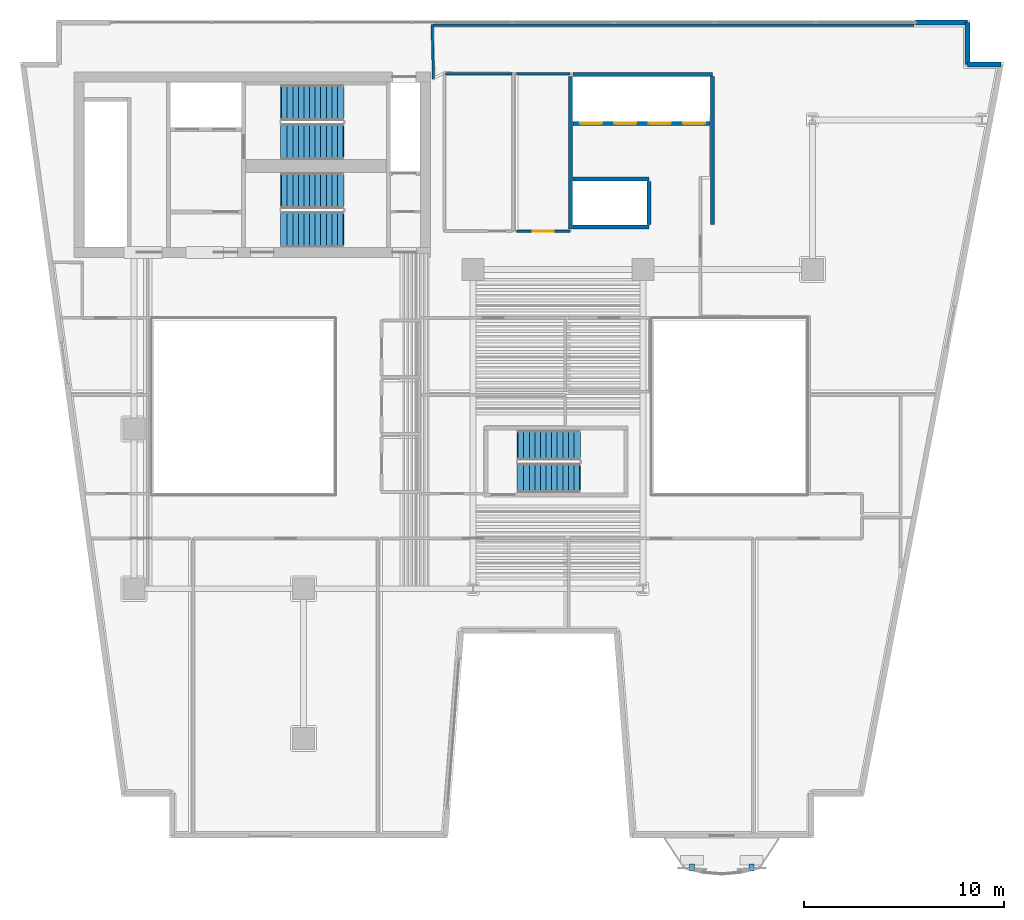
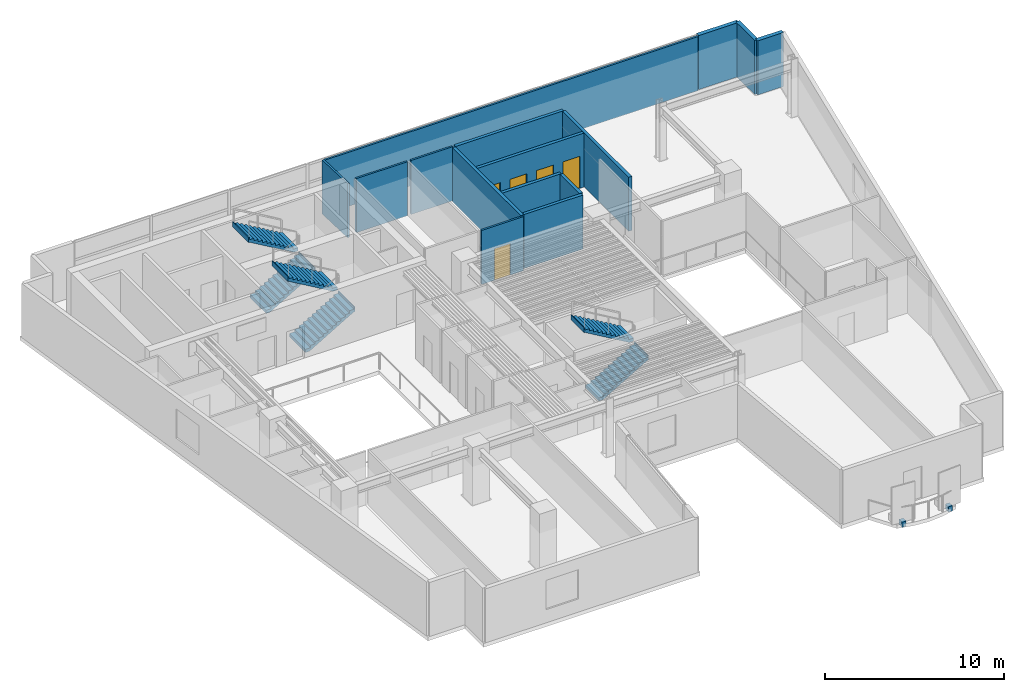
# One storey, part 8 of 13: 15 walls, 6 stair flights, 5 doors, 2 discrete accessories, 5 openings, 3 elements without a shape of their own.
"""IFC4 building model written with IfcOpenShell, lengths in metres."""

import ifcopenshell
import ifcopenshell.guid

model = None  # the IFC model being written
_history = None  # IfcOwnerHistory: only IFC2X3 demands one
_inside = {}  # id of a spatial element -> (the spatial element, [elements in it])
_under = {}  # id of a project, library or spatial element -> (it, [spatial elements below it])
_declared = {}  # id of a project -> (the project, [libraries it declares])
_typed = {}  # id of a type object -> (the type object, [elements of that type])
_made_of = {}  # id of a material, layer set ... -> (it, [elements and type objects made of it])


def new_model(schema):
    """Start an empty IFC model of exactly this schema.

    Asked for "IFC4X3", IfcOpenShell would pick the latest addendum, in which some entities
    have other attributes; the version numbers below select the first issue.
    IFC2X3 requires an IfcOwnerHistory on every rooted entity: one is made here for all.
    """
    global model, _history
    if schema == "IFC4X3":
        model = ifcopenshell.file(schema_version=(4, 3, 0, 0))
    else:
        model = ifcopenshell.file(schema=schema)
    _inside.clear()
    _under.clear()
    _declared.clear()
    _typed.clear()
    _made_of.clear()
    _history = None
    if model.schema == "IFC2X3":
        org = make("IfcOrganization", Name="unknown")
        user = make(
            "IfcPersonAndOrganization",
            ThePerson=make("IfcPerson", FamilyName="unknown"),
            TheOrganization=org,
        )
        app = make(
            "IfcApplication",
            ApplicationDeveloper=org,
            Version="unknown",
            ApplicationFullName="unknown",
            ApplicationIdentifier="unknown",
        )
        _history = make(
            "IfcOwnerHistory",
            OwningUser=user,
            OwningApplication=app,
            ChangeAction="ADDED",
            CreationDate=0,
        )
    return model


def make(cls, **values):
    """One entity of the class cls with the attributes given. An attribute that is None is left unset."""
    return model.create_entity(
        cls, **{name: value for name, value in values.items() if value is not None}
    )


def rooted(cls, **values):
    """An entity with a GlobalId (a new one), such as an element, a storey or a relation."""
    return make(cls, GlobalId=ifcopenshell.guid.new(), OwnerHistory=_history, **values)


def si_unit(unit_type, name, prefix=None):
    """IfcSIUnit, for example si_unit("LENGTHUNIT", "METRE", prefix="MILLI")."""
    return make("IfcSIUnit", UnitType=unit_type, Prefix=prefix, Name=name)


def assignment(units):
    """IfcUnitAssignment: the units of a project."""
    return None if units is None else make("IfcUnitAssignment", Units=units)


def point(xyz):
    """IfcCartesianPoint."""
    return None if xyz is None else make("IfcCartesianPoint", Coordinates=xyz)


def direction(xyz):
    """IfcDirection."""
    return None if xyz is None else make("IfcDirection", DirectionRatios=xyz)


def frame(location, z_axis=None, x_axis=None):
    """IfcAxis2Placement3D, a coordinate frame: its origin and axes. An axis left out is left unset."""
    return make(
        "IfcAxis2Placement3D",
        Location=point(location),
        Axis=direction(z_axis),
        RefDirection=direction(x_axis),
    )


def frame_2d(location, x_axis=None):
    """IfcAxis2Placement2D, a coordinate frame in the plane: its origin and x axis."""
    return make(
        "IfcAxis2Placement2D", Location=point(location), RefDirection=direction(x_axis)
    )


def origin():
    """The frame at (0, 0, 0) with its axes left unset."""
    return frame((0.0, 0.0, 0.0))


def origin_2d():
    """The frame at (0, 0) in the plane with its x axis left unset."""
    return frame_2d((0.0, 0.0))


def place(relative_to, where):
    """IfcLocalPlacement: puts the frame where relative to a parent placement (None: the world)."""
    return make(
        "IfcLocalPlacement", PlacementRelTo=relative_to, RelativePlacement=where
    )


def context(
    kind, dimensions, precision=None, world=None, true_north=None, identifier=None
):
    """IfcGeometricRepresentationContext, for example the 3D "Model" context."""
    return make(
        "IfcGeometricRepresentationContext",
        ContextIdentifier=identifier,
        ContextType=kind,
        CoordinateSpaceDimension=dimensions,
        Precision=precision,
        WorldCoordinateSystem=world,
        TrueNorth=true_north,
    )


def subcontext(parent, identifier, kind, view, scale=None):
    """IfcGeometricRepresentationSubContext, for example "Body" below "Model"."""
    return make(
        "IfcGeometricRepresentationSubContext",
        ContextIdentifier=identifier,
        ContextType=kind,
        ParentContext=parent,
        TargetScale=scale,
        TargetView=view,
    )


def project(units=None, contexts=None):
    """IfcProject with its units and contexts."""
    return rooted(
        "IfcProject",
        Name="project",
        RepresentationContexts=contexts,
        UnitsInContext=assignment(units),
    )


def spatial(cls, under=None, at=None, **own):
    """A site, building, storey or space (cls), placed at a placement, below another one or the project."""
    s = rooted(cls, ObjectPlacement=at, **own)
    if under is not None:
        _under.setdefault(under.id(), (under, []))[1].append(s)
    return s


def polyline(points):
    """IfcPolyline through the points."""
    return make("IfcPolyline", Points=[point(p) for p in points])


def profile(cls, at=None, kind="AREA", **sizes):
    """A parametric profile (cls). Its sizes go by their IFC names, for example OverallWidth=200.0."""
    return make(cls, ProfileType=kind, Position=at, **sizes)


def rectangle(**sizes):
    """IfcRectangleProfileDef."""
    return profile("IfcRectangleProfileDef", **sizes)


def outline(outer, holes=None, kind="AREA"):
    """IfcArbitraryClosedProfileDef: a profile drawn as a closed curve; with holes, ...WithVoids."""
    if holes is None:
        return make("IfcArbitraryClosedProfileDef", ProfileType=kind, OuterCurve=outer)
    return make(
        "IfcArbitraryProfileDefWithVoids",
        ProfileType=kind,
        OuterCurve=outer,
        InnerCurves=holes,
    )


def extrude(swept, where, along, depth):
    """IfcExtrudedAreaSolid: the profile swept, set in the frame where, extruded along a direction by depth."""
    return make(
        "IfcExtrudedAreaSolid",
        SweptArea=swept,
        Position=where,
        ExtrudedDirection=direction(along),
        Depth=depth,
    )


def shape(context_of_items, identifier, shape_type, items):
    """IfcShapeRepresentation: the items that make up one representation, for example the "Body"."""
    return make(
        "IfcShapeRepresentation",
        ContextOfItems=context_of_items,
        RepresentationIdentifier=identifier,
        RepresentationType=shape_type,
        Items=items,
    )


def material(Name=None, Category=None):
    """IfcMaterial."""
    return make("IfcMaterial", Name=Name, Category=Category)


def layer(
    of_material, thickness, ventilated=None, Name=None, Category=None, Priority=None
):
    """IfcMaterialLayer: one layer of a wall or slab, of a material (None: an air gap)."""
    return make(
        "IfcMaterialLayer",
        Material=of_material,
        LayerThickness=thickness,
        IsVentilated=ventilated,
        Name=Name,
        Category=Category,
        Priority=Priority,
    )


def layer_set(layers, Name=None):
    """IfcMaterialLayerSet."""
    return make("IfcMaterialLayerSet", MaterialLayers=layers, LayerSetName=Name)


def made_of(thing, what):
    """Note that an element or type object is made of a material, layer set ...; save() writes the relation."""
    if what is not None:
        _made_of.setdefault(what.id(), (what, []))[1].append(thing)
    return thing


def type_object(cls, material=None, **own):
    """A type object (cls), such as IfcWallType, which elements share."""
    return made_of(rooted(cls, **own), material)


def element(
    cls,
    number,
    at=None,
    inside=None,
    cuts=None,
    type_object=None,
    material=None,
    context=None,
    identifier="Body",
    shape_type=None,
    held_by="IfcProductDefinitionShape",
    body=None,
    shapes=None,
    **own,
):
    """One element of the class cls, such as IfcWall. Its Tag is "e" and its number.

    at: its placement. inside: the storey or other place that contains it. cuts: it is an
    opening in that element (IfcRelVoidsElement). A single representation is given by context,
    identifier, shape_type and body (its items); several are given by shapes. held_by: the class
    of the entity that holds the representations. save() writes the other relations.
    """
    e = rooted(cls, Tag="e%d" % number, ObjectPlacement=at, **own)
    if body is not None:
        shapes = [shape(context, identifier, shape_type, body)]
    if shapes is not None:
        e.Representation = make(held_by, Representations=shapes)
    if inside is not None:
        _inside.setdefault(inside.id(), (inside, []))[1].append(e)
    if cuts is not None:
        rooted(
            "IfcRelVoidsElement", RelatingBuildingElement=cuts, RelatedOpeningElement=e
        )
    if type_object is not None:
        _typed.setdefault(type_object.id(), (type_object, []))[1].append(e)
    return made_of(e, material)


def fill(opening, filler):
    """IfcRelFillsElement: the door or window that sits in an opening."""
    return rooted(
        "IfcRelFillsElement",
        RelatingOpeningElement=opening,
        RelatedBuildingElement=filler,
    )


def aggregate(whole, parts):
    """IfcRelAggregates: a whole, such as a stair, and the parts it consists of."""
    return rooted("IfcRelAggregates", RelatingObject=whole, RelatedObjects=parts)


def save(model, path):
    """Write the relations noted so far, then the file.

    IfcRelAggregates (storeys below a building ...), IfcRelContainedInSpatialStructure (elements
    in a storey), IfcRelDefinesByType, IfcRelAssociatesMaterial and IfcRelDeclares: one each for
    every whole, place, type object, material and project.
    """
    for whole, parts in _under.values():
        aggregate(whole, parts)
    for where, things in _inside.values():
        rooted(
            "IfcRelContainedInSpatialStructure",
            RelatedElements=things,
            RelatingStructure=where,
        )
    for kind, things in _typed.values():
        rooted("IfcRelDefinesByType", RelatedObjects=things, RelatingType=kind)
    for what, things in _made_of.values():
        rooted("IfcRelAssociatesMaterial", RelatedObjects=things, RelatingMaterial=what)
    for by, libraries in _declared.values():
        rooted("IfcRelDeclares", RelatingContext=by, RelatedDefinitions=libraries)
    model.write(path)


model = new_model("IFC4")

# Units and contexts
model_context = context("Model", 3, precision=1e-05, world=origin(), true_north=direction((0.0, 1.0)))
body_context = subcontext(model_context, "Body", "Model", "MODEL_VIEW")
ifc_project = project(units=[si_unit("LENGTHUNIT", "METRE"), si_unit("AREAUNIT", "SQUARE_METRE"), si_unit("VOLUMEUNIT", "CUBIC_METRE"), si_unit("PLANEANGLEUNIT", "RADIAN"), si_unit("MASSUNIT", "GRAM", prefix="KILO")], contexts=[model_context])

# Site, building, storey
site_placement = place(None, origin())
site = spatial("IfcSite", under=ifc_project, at=site_placement, CompositionType="ELEMENT")
building_placement = place(site_placement, origin())
building = spatial("IfcBuilding", under=site, at=building_placement, Name="Caeloran Harvest Quay", CompositionType="ELEMENT")
storey_placement = place(building_placement, frame((0.0, 0.0, 162.75)))
storey = spatial("IfcBuildingStorey", under=building, at=storey_placement, Name="L38", CompositionType="ELEMENT", Elevation=162.75)

# Walls
ifc_material_1 = material(Name="Precast concrete C50/60", Category="concrete")
ifc_layer_1 = layer(ifc_material_1, 0.260009765625, Name="Precast concrete C50/60")
ifc_layer_set_1 = layer_set([ifc_layer_1], Name="Precast concrete C50/60")
wall_type_1 = type_object("IfcWallType", Name="ENV-WALL-EW-260", PredefinedType="STANDARD", material=ifc_layer_set_1)
wall_1_placement = place(storey_placement, frame((47.669921875, 43.3701171875, 0.0), z_axis=(0.0, 0.0, 1.0), x_axis=(1.0, 0.0, 0.0)))
element("IfcWall", 1, at=wall_1_placement, inside=storey, type_object=wall_type_1, Name="L38 Exterior Facade Corner Pier Wall 6B", PredefinedType="STANDARD", context=body_context, shape_type="SweptSolid", body=[
    extrude(rectangle(XDim=2.60009765625, YDim=0.260009765625, at=frame_2d((1.300048828125, 0.0))), origin(), (0.0, 0.0, 1.0), 3.68994140625),
])
wall_2_placement = place(storey_placement, frame((50.27001953125, 43.3701171875, 0.0), z_axis=(0.0, 0.0, 1.0), x_axis=(0.0, -1.0, 0.0)))
element("IfcWall", 2, at=wall_2_placement, inside=storey, type_object=wall_type_1, Name="L38 Exterior Precast Concrete Facade Wall 7", PredefinedType="STANDARD", context=body_context, shape_type="SweptSolid", body=[
    extrude(rectangle(XDim=2.10009765625, YDim=0.260009765625, at=frame_2d((1.050048828125, 0.0))), origin(), (0.0, 0.0, 1.0), 3.68994140625),
])
wall_3_placement = place(storey_placement, frame((50.27001953125, 41.27001953125, 0.0), z_axis=(0.0, 0.0, 1.0), x_axis=(1.0, 0.0, 0.0)))
element("IfcWall", 3, at=wall_3_placement, inside=storey, type_object=wall_type_1, Name="L38 Exterior Precast Concrete Facade Wall 8", PredefinedType="STANDARD", context=body_context, shape_type="SweptSolid", body=[
    extrude(rectangle(XDim=1.671875, YDim=0.260009765625, at=frame_2d((0.8359375, 0.0))), origin(), (0.0, 0.0, 1.0), 3.68994140625),
])
ifc_material_2 = material(Name="Twin-Stud Mineral-Wool Acoustic Gypsum Partition", Category="gypsum")
ifc_layer_2 = layer(ifc_material_2, 0.125, Name="Twin-Stud Mineral-Wool Acoustic Gypsum Partition")
ifc_layer_set_2 = layer_set([ifc_layer_2], Name="Twin-Stud Mineral-Wool Acoustic Gypsum Partition")
wall_type_2 = type_object("IfcWallType", Name="INT-WALL-PW-125", PredefinedType="PARTITIONING", material=ifc_layer_set_2)
wall_4_placement = place(storey_placement, frame((24.117431640625, 40.800048828125, 0.0), z_axis=(0.0, 0.0, 1.0), x_axis=(1.0, 0.0, 0.0)))
element("IfcWall", 4, at=wall_4_placement, inside=storey, type_object=wall_type_2, Name="L38 Bioinformatics Briefing Lounge Partition Wall", PredefinedType="PARTITIONING", context=body_context, shape_type="SweptSolid", body=[
    extrude(rectangle(XDim=3.315185546875, YDim=0.125, at=frame_2d((1.65771484375, 0.0))), origin(), (0.0, 0.0, 1.0), 3.68994140625),
])

# Wall, opening, door
wall_5_placement = place(storey_placement, frame((30.35009765625, 32.919921875, 0.0), z_axis=(0.0, 0.0, 1.0), x_axis=(-1.0, 0.0, 0.0)))
wall_5 = element("IfcWall", 5, at=wall_5_placement, inside=storey, type_object=wall_type_2, Name="L38 Seed Imaging Laboratory Partition Wall", PredefinedType="PARTITIONING", context=body_context, shape_type="SweptSolid", body=[
    extrude(rectangle(XDim=2.690185546875, YDim=0.125, at=frame_2d((1.34521484375, 0.0))), origin(), (0.0, 0.0, 1.0), 3.68994140625),
])
opening_1_placement = place(wall_5_placement, frame((0.820068359375, 0.0, 0.0)))
opening_1 = element("IfcOpeningElement", 6, at=opening_1_placement, cuts=wall_5, Name="Opening ID-03", PredefinedType="OPENING", context=body_context, shape_type="SweptSolid", body=[
    extrude(rectangle(XDim=1.050048828125, YDim=2.14990234375, at=frame_2d((0.52490234375, 1.074951171875))), frame((0.0, 0.072509765625, 0.0), z_axis=(0.0, -1.0, 0.0), x_axis=(1.0, 0.0, 0.0)), (0.0, 0.0, 1.0), 0.14501953125),
])
ifc_material_3 = material(Name="FSC Solid-Core Oak Timber Leaf", Category="wood")
door_type_1 = type_object("IfcDoorType", Name="INTDOOR-ID-03", OperationType="NOTDEFINED", PredefinedType="DOOR", material=ifc_material_3)
door_1_placement = place(opening_1_placement, origin())
door_1 = element("IfcDoor", 7, at=door_1_placement, inside=storey, type_object=door_type_1, Name="L38 Seed Imaging Laboratory Access Door", OperationType="SINGLE_SWING_LEFT", OverallHeight=2.14990234375, OverallWidth=1.050048828125, PredefinedType="DOOR", context=body_context, shape_type="SweptSolid", body=[
    extrude(rectangle(XDim=1.050048828125, YDim=2.14990234375, at=frame_2d((0.52490234375, 1.074951171875))), frame((0.0, 0.02490234375, 0.0), z_axis=(0.0, -1.0, 0.0), x_axis=(1.0, 0.0, 0.0)), (0.0, 0.0, 1.0), 0.050048828125),
])
fill(opening_1, door_1)

# Walls
wall_6_placement = place(storey_placement, frame((27.659912109375, 40.800048828125, 0.0), z_axis=(0.0, 0.0, 1.0), x_axis=(1.0, 0.0, 0.0)))
element("IfcWall", 8, at=wall_6_placement, inside=storey, type_object=wall_type_2, Name="L38 Seed Imaging Laboratory Partition Wall", PredefinedType="PARTITIONING", context=body_context, shape_type="SweptSolid", body=[
    extrude(rectangle(XDim=2.690185546875, YDim=0.125, at=frame_2d((1.34521484375, 0.0))), origin(), (0.0, 0.0, 1.0), 3.68994140625),
])
wall_7_placement = place(storey_placement, frame((23.510009765625, 40.555908203125, 0.0), z_axis=(0.0, 0.0, 1.0), x_axis=(-0.02567646332, 0.999670305266, 0.0)))
element("IfcWall", 9, at=wall_7_placement, inside=storey, type_object=wall_type_2, Name="Hospitality Catering Kitchen 12 Partition Wall", PredefinedType="PARTITIONING", context=body_context, shape_type="SweptSolid", body=[
    extrude(rectangle(XDim=2.7099609375, YDim=0.125, at=frame_2d((1.35498046875, 0.0))), origin(), (0.0, 0.0, 1.0), 3.68994140625),
])
wall_8_placement = place(storey_placement, frame((23.508544921875, 43.239990234375, 0.0), z_axis=(0.0, 0.0, 1.0), x_axis=(1.0, 0.0, 0.0)))
element("IfcWall", 10, at=wall_8_placement, inside=storey, type_object=wall_type_2, Name="Hospitality Catering Kitchen 12 Partition Wall", PredefinedType="PARTITIONING", context=body_context, shape_type="SweptSolid", body=[
    extrude(rectangle(XDim=24.0869140625, YDim=0.125, at=frame_2d((12.04345703125, 0.0))), origin(), (0.0, 0.0, 1.0), 3.68994140625),
])
ifc_material_4 = material(Name="Concrete C50/60", Category="concrete")
ifc_layer_3 = layer(ifc_material_4, 0.199951171875, Name="Concrete C50/60")
ifc_layer_set_3 = layer_set([ifc_layer_3], Name="Concrete C50/60")
wall_type_3 = type_object("IfcWallType", Name="INT-WALL-SW-200", PredefinedType="PARTITIONING", material=ifc_layer_set_3)
wall_9_placement = place(storey_placement, frame((30.3798828125, 33.02001953125, 0.0), z_axis=(0.0, 0.0, 1.0), x_axis=(0.0, 1.0, 0.0)))
element("IfcWall", 11, at=wall_9_placement, inside=storey, type_object=wall_type_3, Name="L38 Bank 2 and Shuttle Lift Shaft West Wall", PredefinedType="PARTITIONING", context=body_context, shape_type="SweptSolid", body=[
    extrude(rectangle(XDim=7.639892578125, YDim=0.199951171875, at=frame_2d((3.81982421875, 0.0))), origin(), (0.0, 0.0, 1.0), 3.68994140625),
])
wall_10_placement = place(storey_placement, frame((30.5, 40.780029296875, 0.0), z_axis=(0.0, 0.0, 1.0), x_axis=(1.0, 0.0, 0.0)))
element("IfcWall", 12, at=wall_10_placement, inside=storey, type_object=wall_type_3, Name="L38 Bank 2 Lift Shaft North Wall", PredefinedType="PARTITIONING", context=body_context, shape_type="SweptSolid", body=[
    extrude(rectangle(XDim=6.97998046875, YDim=0.199951171875, at=frame_2d((3.489990234375, 0.0))), origin(), (0.0, 0.0, 1.0), 3.68994140625),
])
wall_11_placement = place(storey_placement, frame((37.47998046875, 33.239990234375, 0.0), z_axis=(0.0, 0.0, 1.0), x_axis=(0.0, 1.0, 0.0)))
element("IfcWall", 13, at=wall_11_placement, inside=storey, type_object=wall_type_3, Name="L38 Bank 2 Lift Shaft East Wall", PredefinedType="PARTITIONING", context=body_context, shape_type="SweptSolid", body=[
    extrude(rectangle(XDim=7.419921875, YDim=0.199951171875, at=frame_2d((3.7099609375, 0.0))), origin(), (0.0, 0.0, 1.0), 3.68994140625),
])

# Wall, openings, doors
wall_12_placement = place(storey_placement, frame((30.5, 38.320068359375, 0.0), z_axis=(0.0, 0.0, 1.0), x_axis=(1.0, 0.0, 0.0)))
wall_12 = element("IfcWall", 14, at=wall_12_placement, inside=storey, type_object=wall_type_3, Name="L38 Bank 2 Lift Landing Front Wall", PredefinedType="PARTITIONING", context=body_context, shape_type="SweptSolid", body=[
    extrude(rectangle(XDim=6.860107421875, YDim=0.199951171875, at=frame_2d((3.43017578125, 0.0))), origin(), (0.0, 0.0, 1.0), 3.68994140625),
])
opening_2_placement = place(wall_12_placement, frame((0.360107421875, 0.0, 0.0)))
opening_2 = element("IfcOpeningElement", 15, at=opening_2_placement, cuts=wall_12, Name="Opening LD-01", PredefinedType="OPENING", context=body_context, shape_type="SweptSolid", body=[
    extrude(rectangle(XDim=1.10009765625, YDim=2.199951171875, at=frame_2d((0.550048828125, 1.10009765625))), frame((0.0, 0.10986328125, 0.0), z_axis=(0.0, -1.0, 0.0), x_axis=(1.0, 0.0, 0.0)), (0.0, 0.0, 1.0), 0.219970703125),
])
opening_3_placement = place(wall_12_placement, frame((2.080078125, 0.0, 0.0)))
opening_3 = element("IfcOpeningElement", 16, at=opening_3_placement, cuts=wall_12, Name="Opening LD-01", PredefinedType="OPENING", context=body_context, shape_type="SweptSolid", body=[
    extrude(rectangle(XDim=1.10009765625, YDim=2.199951171875, at=frame_2d((0.550048828125, 1.10009765625))), frame((0.0, 0.10986328125, 0.0), z_axis=(0.0, -1.0, 0.0), x_axis=(1.0, 0.0, 0.0)), (0.0, 0.0, 1.0), 0.219970703125),
])
opening_4_placement = place(wall_12_placement, frame((3.800048828125, 0.0, 0.0)))
opening_4 = element("IfcOpeningElement", 17, at=opening_4_placement, cuts=wall_12, Name="Opening LD-01", PredefinedType="OPENING", context=body_context, shape_type="SweptSolid", body=[
    extrude(rectangle(XDim=1.10009765625, YDim=2.199951171875, at=frame_2d((0.550048828125, 1.10009765625))), frame((0.0, 0.10986328125, 0.0), z_axis=(0.0, -1.0, 0.0), x_axis=(1.0, 0.0, 0.0)), (0.0, 0.0, 1.0), 0.219970703125),
])
opening_5_placement = place(wall_12_placement, frame((5.52001953125, 0.0, 0.0)))
opening_5 = element("IfcOpeningElement", 18, at=opening_5_placement, cuts=wall_12, Name="Opening LD-01", PredefinedType="OPENING", context=body_context, shape_type="SweptSolid", body=[
    extrude(rectangle(XDim=1.10009765625, YDim=2.199951171875, at=frame_2d((0.550048828125, 1.10009765625))), frame((0.0, 0.10986328125, 0.0), z_axis=(0.0, -1.0, 0.0), x_axis=(1.0, 0.0, 0.0)), (0.0, 0.0, 1.0), 0.219970703125),
])
ifc_material_5 = material(Name="Stainless Steel Grade 316", Category="steel")
door_type_2 = type_object("IfcDoorType", Name="INTDOOR-LD-01", OperationType="NOTDEFINED", PredefinedType="DOOR", material=ifc_material_5)
door_2_placement = place(opening_2_placement, origin())
door_2 = element("IfcDoor", 19, at=door_2_placement, inside=storey, type_object=door_type_2, Name="Lift P2-1 Sliding Landing Door (L38)", OperationType="DOUBLE_DOOR_SLIDING", OverallHeight=2.199951171875, OverallWidth=1.10009765625, PredefinedType="DOOR", context=body_context, shape_type="SweptSolid", body=[
    extrude(rectangle(XDim=1.10009765625, YDim=2.199951171875, at=frame_2d((0.550048828125, 1.10009765625))), frame((0.0, 0.02490234375, 0.0), z_axis=(0.0, -1.0, 0.0), x_axis=(1.0, 0.0, 0.0)), (0.0, 0.0, 1.0), 0.050048828125),
])
fill(opening_2, door_2)
door_3_placement = place(opening_3_placement, origin())
door_3 = element("IfcDoor", 20, at=door_3_placement, inside=storey, type_object=door_type_2, Name="Lift P2-2 Sliding Landing Door (L38)", OperationType="DOUBLE_DOOR_SLIDING", OverallHeight=2.199951171875, OverallWidth=1.10009765625, PredefinedType="DOOR", context=body_context, shape_type="SweptSolid", body=[
    extrude(rectangle(XDim=1.10009765625, YDim=2.199951171875, at=frame_2d((0.550048828125, 1.10009765625))), frame((0.0, 0.02490234375, 0.0), z_axis=(0.0, -1.0, 0.0), x_axis=(1.0, 0.0, 0.0)), (0.0, 0.0, 1.0), 0.050048828125),
])
fill(opening_3, door_3)
door_4_placement = place(opening_4_placement, origin())
door_4 = element("IfcDoor", 21, at=door_4_placement, inside=storey, type_object=door_type_2, Name="Lift P2-3 Sliding Landing Door (L38)", OperationType="DOUBLE_DOOR_SLIDING", OverallHeight=2.199951171875, OverallWidth=1.10009765625, PredefinedType="DOOR", context=body_context, shape_type="SweptSolid", body=[
    extrude(rectangle(XDim=1.10009765625, YDim=2.199951171875, at=frame_2d((0.550048828125, 1.10009765625))), frame((0.0, 0.02490234375, 0.0), z_axis=(0.0, -1.0, 0.0), x_axis=(1.0, 0.0, 0.0)), (0.0, 0.0, 1.0), 0.050048828125),
])
fill(opening_4, door_4)
door_5_placement = place(opening_5_placement, origin())
door_5 = element("IfcDoor", 22, at=door_5_placement, inside=storey, type_object=door_type_2, Name="Lift P2-4 Sliding Landing Door (L38)", OperationType="DOUBLE_DOOR_SLIDING", OverallHeight=2.199951171875, OverallWidth=1.10009765625, PredefinedType="DOOR", context=body_context, shape_type="SweptSolid", body=[
    extrude(rectangle(XDim=1.10009765625, YDim=2.199951171875, at=frame_2d((0.550048828125, 1.10009765625))), frame((0.0, 0.02490234375, 0.0), z_axis=(0.0, -1.0, 0.0), x_axis=(1.0, 0.0, 0.0)), (0.0, 0.0, 1.0), 0.050048828125),
])
fill(opening_5, door_5)

# Walls
for number, where, z_axis, x_axis, name in (
    (23, (30.5, 35.530029296875, 0.0), (0.0, 0.0, 1.0), (1.0, 0.0, 0.0), "L38 Shuttle Lift Landing Front Wall"),
    (24, (30.5, 33.1201171875, 0.0), (0.0, 0.0, 1.0), (1.0, 0.0, 0.0), "L38 Shuttle Lift Shaft South Wall"),
):
    element("IfcWall", number, at=place(storey_placement, frame(where, z_axis=z_axis, x_axis=x_axis)), inside=storey, type_object=wall_type_3, Name=name, PredefinedType="PARTITIONING", context=body_context, shape_type="SweptSolid", body=[
        extrude(rectangle(XDim=3.800048828125, YDim=0.199951171875, at=frame_2d((1.89990234375, 0.0))), origin(), (0.0, 0.0, 1.0), 3.68994140625),
    ])
wall_13_placement = place(storey_placement, frame((34.300048828125, 33.239990234375, 0.0), z_axis=(0.0, 0.0, 1.0), x_axis=(0.0, 1.0, 0.0)))
element("IfcWall", 25, at=wall_13_placement, inside=storey, type_object=wall_type_3, Name="L38 Shuttle Lift Shaft East Wall", PredefinedType="PARTITIONING", context=body_context, shape_type="SweptSolid", body=[
    extrude(rectangle(XDim=2.169921875, YDim=0.199951171875, at=frame_2d((1.0849609375, 0.0))), origin(), (0.0, 0.0, 1.0), 3.68994140625),
])

# Stair, stair flights
stair_type_1 = type_object("IfcStairType", Name="STAIR-STC-180", PredefinedType="HALF_TURN_STAIR", material=ifc_material_4)
stair_1_placement = place(storey_placement, origin())
stair_1 = element("IfcStair", 26, at=stair_1_placement, inside=storey, type_object=stair_type_1, Name="L38 Core Pressurized Exit Stair ST-C1", PredefinedType="HALF_TURN_STAIR")
stair_flight_type_1 = type_object("IfcStairFlightType", Name="FLIGHT-STC-180", PredefinedType="STRAIGHT", material=ifc_material_4)
stair_flight_1_placement = place(storey_placement, frame((15.89990234375, 37.39990234375, 0.0), z_axis=(0.0, 0.0, 1.0), x_axis=(1.0, 0.0, 0.0)))
stair_flight_1 = element("IfcStairFlight", 27, at=stair_flight_1_placement, type_object=stair_flight_type_1, Name="ST-C1 flight 1", NumberOfRisers=12, NumberOfTreads=11, PredefinedType="STRAIGHT", RiserHeight=0.164583333, TreadLength=0.28, context=body_context, shape_type="SweptSolid", body=[
    extrude(outline(polyline([(-0.054931640625, -0.044921875), (-0.054931640625, -0.031982421875), (-0.054931640625, -0.018798828125), (-0.054931640625, -0.005615234375), (-0.054931640625, 0.00732421875), (-0.054931640625, 0.0205078125), (-0.054931640625, 0.03369140625), (-0.054931640625, 0.046630859375), (-0.054931640625, 0.059814453125), (-0.054931640625, 0.072998046875), (-0.054931640625, 0.0859375), (-0.054931640625, 0.09912109375), (-0.054931640625, 0.1123046875), (-0.054931640625, 0.125244140625), (-0.054931640625, 0.138427734375), (-0.054931640625, 0.1513671875), (-0.054931640625, 0.16455078125), (0.280029296875, 0.16455078125), (0.280029296875, 0.3291015625), (0.56005859375, 0.3291015625), (0.56005859375, 0.49365234375), (0.840087890625, 0.49365234375), (0.840087890625, 0.658447265625), (1.1201171875, 0.658447265625), (1.1201171875, 0.822998046875), (1.39990234375, 0.822998046875), (1.39990234375, 0.987548828125), (1.679931640625, 0.987548828125), (1.679931640625, 1.152099609375), (1.9599609375, 1.152099609375), (1.9599609375, 1.316650390625), (2.239990234375, 1.316650390625), (2.239990234375, 1.481201171875), (2.52001953125, 1.481201171875), (2.52001953125, 1.645751953125), (2.800048828125, 1.645751953125), (2.800048828125, 1.810302734375), (3.080078125, 1.810302734375), (3.080078125, 1.97509765625), (3.135009765625, 1.97509765625), (3.135009765625, 1.953857421875), (3.135009765625, 1.9326171875), (3.135009765625, 1.91162109375), (3.135009765625, 1.890380859375), (3.135009765625, 1.869140625), (3.135009765625, 1.84814453125), (3.135009765625, 1.826904296875), (3.135009765625, 1.8056640625), (3.135009765625, 1.78466796875), (3.135009765625, 1.763427734375), (3.135009765625, 1.7421875), (3.135009765625, 1.72119140625), (3.135009765625, 1.699951171875), (3.135009765625, 1.678955078125), (3.135009765625, 1.65771484375), (3.135009765625, 1.636474609375), (3.080078125, 1.636474609375), (0.21923828125, -0.044921875), (-0.054931640625, -0.044921875)])), frame((0.0, 0.89990234375, 0.0), z_axis=(0.0, -1.0, 0.0), x_axis=(1.0, 0.0, 0.0)), (0.0, 0.0, 1.0), 1.800048828125),
])
stair_flight_2_placement = place(storey_placement, frame((18.97998046875, 39.35009765625, 1.97509765625), z_axis=(0.0, 0.0, 1.0), x_axis=(-1.0, 0.0, 0.0)))
stair_flight_2 = element("IfcStairFlight", 28, at=stair_flight_2_placement, type_object=stair_flight_type_1, Name="ST-C1 flight 2", NumberOfRisers=12, NumberOfTreads=11, PredefinedType="STRAIGHT", RiserHeight=0.164583333, TreadLength=0.28, context=body_context, shape_type="SweptSolid", body=[
    extrude(outline(polyline([(-0.054931640625, -0.044921875), (-0.054931640625, -0.031982421875), (-0.054931640625, -0.018798828125), (-0.054931640625, -0.005615234375), (-0.054931640625, 0.00732421875), (-0.054931640625, 0.0205078125), (-0.054931640625, 0.03369140625), (-0.054931640625, 0.046630859375), (-0.054931640625, 0.059814453125), (-0.054931640625, 0.072998046875), (-0.054931640625, 0.0859375), (-0.054931640625, 0.09912109375), (-0.054931640625, 0.1123046875), (-0.054931640625, 0.125244140625), (-0.054931640625, 0.138427734375), (-0.054931640625, 0.1513671875), (-0.054931640625, 0.16455078125), (0.280029296875, 0.16455078125), (0.280029296875, 0.3291015625), (0.56005859375, 0.3291015625), (0.56005859375, 0.49365234375), (0.840087890625, 0.49365234375), (0.840087890625, 0.658447265625), (1.1201171875, 0.658447265625), (1.1201171875, 0.822998046875), (1.39990234375, 0.822998046875), (1.39990234375, 0.987548828125), (1.679931640625, 0.987548828125), (1.679931640625, 1.152099609375), (1.9599609375, 1.152099609375), (1.9599609375, 1.316650390625), (2.239990234375, 1.316650390625), (2.239990234375, 1.481201171875), (2.52001953125, 1.481201171875), (2.52001953125, 1.645751953125), (2.800048828125, 1.645751953125), (2.800048828125, 1.810302734375), (3.080078125, 1.810302734375), (3.080078125, 1.97509765625), (3.135009765625, 1.97509765625), (3.135009765625, 1.953857421875), (3.135009765625, 1.9326171875), (3.135009765625, 1.91162109375), (3.135009765625, 1.890380859375), (3.135009765625, 1.869140625), (3.135009765625, 1.84814453125), (3.135009765625, 1.826904296875), (3.135009765625, 1.8056640625), (3.135009765625, 1.78466796875), (3.135009765625, 1.763427734375), (3.135009765625, 1.7421875), (3.135009765625, 1.72119140625), (3.135009765625, 1.699951171875), (3.135009765625, 1.678955078125), (3.135009765625, 1.65771484375), (3.135009765625, 1.636474609375), (3.080078125, 1.636474609375), (0.21923828125, -0.044921875), (-0.054931640625, -0.044921875)])), frame((0.0, 0.89990234375, 0.0), z_axis=(0.0, -1.0, 0.0), x_axis=(1.0, 0.0, 0.0)), (0.0, 0.0, 1.0), 1.800048828125),
])
aggregate(stair_1, [stair_flight_1, stair_flight_2])

stair_2_placement = place(storey_placement, origin())
stair_2 = element("IfcStair", 29, at=stair_2_placement, inside=storey, type_object=stair_type_1, Name="L38 Core Pressurized Exit Stair ST-C2", PredefinedType="HALF_TURN_STAIR")
stair_flight_3_placement = place(storey_placement, frame((15.89990234375, 33.0, 0.0), z_axis=(0.0, 0.0, 1.0), x_axis=(1.0, 0.0, 0.0)))
stair_flight_3 = element("IfcStairFlight", 30, at=stair_flight_3_placement, type_object=stair_flight_type_1, Name="ST-C2 flight 1", NumberOfRisers=12, NumberOfTreads=11, PredefinedType="STRAIGHT", RiserHeight=0.164583333, TreadLength=0.28, context=body_context, shape_type="SweptSolid", body=[
    extrude(outline(polyline([(-0.054931640625, -0.044921875), (-0.054931640625, -0.031982421875), (-0.054931640625, -0.018798828125), (-0.054931640625, -0.005615234375), (-0.054931640625, 0.00732421875), (-0.054931640625, 0.0205078125), (-0.054931640625, 0.03369140625), (-0.054931640625, 0.046630859375), (-0.054931640625, 0.059814453125), (-0.054931640625, 0.072998046875), (-0.054931640625, 0.0859375), (-0.054931640625, 0.09912109375), (-0.054931640625, 0.1123046875), (-0.054931640625, 0.125244140625), (-0.054931640625, 0.138427734375), (-0.054931640625, 0.1513671875), (-0.054931640625, 0.16455078125), (0.280029296875, 0.16455078125), (0.280029296875, 0.3291015625), (0.56005859375, 0.3291015625), (0.56005859375, 0.49365234375), (0.840087890625, 0.49365234375), (0.840087890625, 0.658447265625), (1.1201171875, 0.658447265625), (1.1201171875, 0.822998046875), (1.39990234375, 0.822998046875), (1.39990234375, 0.987548828125), (1.679931640625, 0.987548828125), (1.679931640625, 1.152099609375), (1.9599609375, 1.152099609375), (1.9599609375, 1.316650390625), (2.239990234375, 1.316650390625), (2.239990234375, 1.481201171875), (2.52001953125, 1.481201171875), (2.52001953125, 1.645751953125), (2.800048828125, 1.645751953125), (2.800048828125, 1.810302734375), (3.080078125, 1.810302734375), (3.080078125, 1.97509765625), (3.135009765625, 1.97509765625), (3.135009765625, 1.953857421875), (3.135009765625, 1.9326171875), (3.135009765625, 1.91162109375), (3.135009765625, 1.890380859375), (3.135009765625, 1.869140625), (3.135009765625, 1.84814453125), (3.135009765625, 1.826904296875), (3.135009765625, 1.8056640625), (3.135009765625, 1.78466796875), (3.135009765625, 1.763427734375), (3.135009765625, 1.7421875), (3.135009765625, 1.72119140625), (3.135009765625, 1.699951171875), (3.135009765625, 1.678955078125), (3.135009765625, 1.65771484375), (3.135009765625, 1.636474609375), (3.080078125, 1.636474609375), (0.21923828125, -0.044921875), (-0.054931640625, -0.044921875)])), frame((0.0, 0.89990234375, 0.0), z_axis=(0.0, -1.0, 0.0), x_axis=(1.0, 0.0, 0.0)), (0.0, 0.0, 1.0), 1.800048828125),
])
stair_flight_4_placement = place(storey_placement, frame((18.97998046875, 34.949951171875, 1.97509765625), z_axis=(0.0, 0.0, 1.0), x_axis=(-1.0, 0.0, 0.0)))
stair_flight_4 = element("IfcStairFlight", 31, at=stair_flight_4_placement, type_object=stair_flight_type_1, Name="ST-C2 flight 2", NumberOfRisers=12, NumberOfTreads=11, PredefinedType="STRAIGHT", RiserHeight=0.164583333, TreadLength=0.28, context=body_context, shape_type="SweptSolid", body=[
    extrude(outline(polyline([(-0.054931640625, -0.044921875), (-0.054931640625, -0.031982421875), (-0.054931640625, -0.018798828125), (-0.054931640625, -0.005615234375), (-0.054931640625, 0.00732421875), (-0.054931640625, 0.0205078125), (-0.054931640625, 0.03369140625), (-0.054931640625, 0.046630859375), (-0.054931640625, 0.059814453125), (-0.054931640625, 0.072998046875), (-0.054931640625, 0.0859375), (-0.054931640625, 0.09912109375), (-0.054931640625, 0.1123046875), (-0.054931640625, 0.125244140625), (-0.054931640625, 0.138427734375), (-0.054931640625, 0.1513671875), (-0.054931640625, 0.16455078125), (0.280029296875, 0.16455078125), (0.280029296875, 0.3291015625), (0.56005859375, 0.3291015625), (0.56005859375, 0.49365234375), (0.840087890625, 0.49365234375), (0.840087890625, 0.658447265625), (1.1201171875, 0.658447265625), (1.1201171875, 0.822998046875), (1.39990234375, 0.822998046875), (1.39990234375, 0.987548828125), (1.679931640625, 0.987548828125), (1.679931640625, 1.152099609375), (1.9599609375, 1.152099609375), (1.9599609375, 1.316650390625), (2.239990234375, 1.316650390625), (2.239990234375, 1.481201171875), (2.52001953125, 1.481201171875), (2.52001953125, 1.645751953125), (2.800048828125, 1.645751953125), (2.800048828125, 1.810302734375), (3.080078125, 1.810302734375), (3.080078125, 1.97509765625), (3.135009765625, 1.97509765625), (3.135009765625, 1.953857421875), (3.135009765625, 1.9326171875), (3.135009765625, 1.91162109375), (3.135009765625, 1.890380859375), (3.135009765625, 1.869140625), (3.135009765625, 1.84814453125), (3.135009765625, 1.826904296875), (3.135009765625, 1.8056640625), (3.135009765625, 1.78466796875), (3.135009765625, 1.763427734375), (3.135009765625, 1.7421875), (3.135009765625, 1.72119140625), (3.135009765625, 1.699951171875), (3.135009765625, 1.678955078125), (3.135009765625, 1.65771484375), (3.135009765625, 1.636474609375), (3.080078125, 1.636474609375), (0.21923828125, -0.044921875), (-0.054931640625, -0.044921875)])), frame((0.0, 0.89990234375, 0.0), z_axis=(0.0, -1.0, 0.0), x_axis=(1.0, 0.0, 0.0)), (0.0, 0.0, 1.0), 1.800048828125),
])
aggregate(stair_2, [stair_flight_3, stair_flight_4])

stair_type_2 = type_object("IfcStairType", Name="STAIR-STW-150", PredefinedType="HALF_TURN_STAIR", material=ifc_material_4)
stair_3_placement = place(storey_placement, origin())
stair_3 = element("IfcStair", 32, at=stair_3_placement, inside=storey, type_object=stair_type_2, Name="L38 East Wing Protected Exit Stair ST-W1", PredefinedType="HALF_TURN_STAIR")
stair_flight_type_2 = type_object("IfcStairFlightType", Name="FLIGHT-STW-150", PredefinedType="STRAIGHT", material=ifc_material_4)
stair_flight_5_placement = place(storey_placement, frame((27.75, 20.550048828125, 0.0), z_axis=(0.0, 0.0, 1.0), x_axis=(1.0, 0.0, 0.0)))
stair_flight_5 = element("IfcStairFlight", 33, at=stair_flight_5_placement, type_object=stair_flight_type_2, Name="ST-W1 flight 1", NumberOfRisers=12, NumberOfTreads=11, PredefinedType="STRAIGHT", RiserHeight=0.164583333, TreadLength=0.28, context=body_context, shape_type="SweptSolid", body=[
    extrude(outline(polyline([(-0.054931640625, -0.044921875), (-0.054931640625, -0.031982421875), (-0.054931640625, -0.018798828125), (-0.054931640625, -0.005615234375), (-0.054931640625, 0.00732421875), (-0.054931640625, 0.0205078125), (-0.054931640625, 0.03369140625), (-0.054931640625, 0.046630859375), (-0.054931640625, 0.059814453125), (-0.054931640625, 0.072998046875), (-0.054931640625, 0.0859375), (-0.054931640625, 0.09912109375), (-0.054931640625, 0.1123046875), (-0.054931640625, 0.125244140625), (-0.054931640625, 0.138427734375), (-0.054931640625, 0.1513671875), (-0.054931640625, 0.16455078125), (0.280029296875, 0.16455078125), (0.280029296875, 0.3291015625), (0.56005859375, 0.3291015625), (0.56005859375, 0.49365234375), (0.840087890625, 0.49365234375), (0.840087890625, 0.658447265625), (1.1201171875, 0.658447265625), (1.1201171875, 0.822998046875), (1.39990234375, 0.822998046875), (1.39990234375, 0.987548828125), (1.679931640625, 0.987548828125), (1.679931640625, 1.152099609375), (1.9599609375, 1.152099609375), (1.9599609375, 1.316650390625), (2.239990234375, 1.316650390625), (2.239990234375, 1.481201171875), (2.52001953125, 1.481201171875), (2.52001953125, 1.645751953125), (2.800048828125, 1.645751953125), (2.800048828125, 1.810302734375), (3.080078125, 1.810302734375), (3.080078125, 1.97509765625), (3.135009765625, 1.97509765625), (3.135009765625, 1.953857421875), (3.135009765625, 1.9326171875), (3.135009765625, 1.91162109375), (3.135009765625, 1.890380859375), (3.135009765625, 1.869140625), (3.135009765625, 1.84814453125), (3.135009765625, 1.826904296875), (3.135009765625, 1.8056640625), (3.135009765625, 1.78466796875), (3.135009765625, 1.763427734375), (3.135009765625, 1.7421875), (3.135009765625, 1.72119140625), (3.135009765625, 1.699951171875), (3.135009765625, 1.678955078125), (3.135009765625, 1.65771484375), (3.135009765625, 1.636474609375), (3.080078125, 1.636474609375), (0.21923828125, -0.044921875), (-0.054931640625, -0.044921875)])), frame((0.0, 0.75, 0.0), z_axis=(0.0, -1.0, 0.0), x_axis=(1.0, 0.0, 0.0)), (0.0, 0.0, 1.0), 1.5),
])
stair_flight_6_placement = place(storey_placement, frame((30.830078125, 22.199951171875, 1.97509765625), z_axis=(0.0, 0.0, 1.0), x_axis=(-1.0, 0.0, 0.0)))
stair_flight_6 = element("IfcStairFlight", 34, at=stair_flight_6_placement, type_object=stair_flight_type_2, Name="ST-W1 flight 2", NumberOfRisers=12, NumberOfTreads=11, PredefinedType="STRAIGHT", RiserHeight=0.164583333, TreadLength=0.28, context=body_context, shape_type="SweptSolid", body=[
    extrude(outline(polyline([(-0.054931640625, -0.044921875), (-0.054931640625, -0.031982421875), (-0.054931640625, -0.018798828125), (-0.054931640625, -0.005615234375), (-0.054931640625, 0.00732421875), (-0.054931640625, 0.0205078125), (-0.054931640625, 0.03369140625), (-0.054931640625, 0.046630859375), (-0.054931640625, 0.059814453125), (-0.054931640625, 0.072998046875), (-0.054931640625, 0.0859375), (-0.054931640625, 0.09912109375), (-0.054931640625, 0.1123046875), (-0.054931640625, 0.125244140625), (-0.054931640625, 0.138427734375), (-0.054931640625, 0.1513671875), (-0.054931640625, 0.16455078125), (0.280029296875, 0.16455078125), (0.280029296875, 0.3291015625), (0.56005859375, 0.3291015625), (0.56005859375, 0.49365234375), (0.840087890625, 0.49365234375), (0.840087890625, 0.658447265625), (1.1201171875, 0.658447265625), (1.1201171875, 0.822998046875), (1.39990234375, 0.822998046875), (1.39990234375, 0.987548828125), (1.679931640625, 0.987548828125), (1.679931640625, 1.152099609375), (1.9599609375, 1.152099609375), (1.9599609375, 1.316650390625), (2.239990234375, 1.316650390625), (2.239990234375, 1.481201171875), (2.52001953125, 1.481201171875), (2.52001953125, 1.645751953125), (2.800048828125, 1.645751953125), (2.800048828125, 1.810302734375), (3.080078125, 1.810302734375), (3.080078125, 1.97509765625), (3.135009765625, 1.97509765625), (3.135009765625, 1.953857421875), (3.135009765625, 1.9326171875), (3.135009765625, 1.91162109375), (3.135009765625, 1.890380859375), (3.135009765625, 1.869140625), (3.135009765625, 1.84814453125), (3.135009765625, 1.826904296875), (3.135009765625, 1.8056640625), (3.135009765625, 1.78466796875), (3.135009765625, 1.763427734375), (3.135009765625, 1.7421875), (3.135009765625, 1.72119140625), (3.135009765625, 1.699951171875), (3.135009765625, 1.678955078125), (3.135009765625, 1.65771484375), (3.135009765625, 1.636474609375), (3.080078125, 1.636474609375), (0.21923828125, -0.044921875), (-0.054931640625, -0.044921875)])), frame((0.0, 0.75, 0.0), z_axis=(0.0, -1.0, 0.0), x_axis=(1.0, 0.0, 0.0)), (0.0, 0.0, 1.0), 1.5),
])
aggregate(stair_3, [stair_flight_5, stair_flight_6])

# Discrete accessories
ifc_material_6 = material(Name="Stainless Steel Grade 316L", Category="steel")
discrete_accessory_type = type_object("IfcDiscreteAccessoryType", Name="BRACKET-SCREEN-SS", PredefinedType="BRACKET", material=ifc_material_6)
for number, where, z_axis, x_axis, name in (
    (35, (39.44921875, 1.030029296875, -0.22021484375), (0.0, 0.0, 1.0), (1.0, 0.0, 0.0), "L38 Balcony Screen Support Bracket 1"),
    (36, (36.4658203125, 1.030029296875, -0.22021484375), (0.0, 0.0, 1.0), (1.0, 0.0, 0.0), "L38 Balcony Screen Support Bracket 2"),
):
    element("IfcDiscreteAccessory", number, at=place(storey_placement, frame(where, z_axis=z_axis, x_axis=x_axis)), inside=storey, type_object=discrete_accessory_type, Name=name, PredefinedType="BRACKET", context=body_context, shape_type="SweptSolid", body=[
        extrude(rectangle(XDim=0.260009765625, YDim=0.340087890625, at=origin_2d()), origin(), (0.0, 0.0, 1.0), 0.360107421875),
    ])

save(model, "model.ifc")
